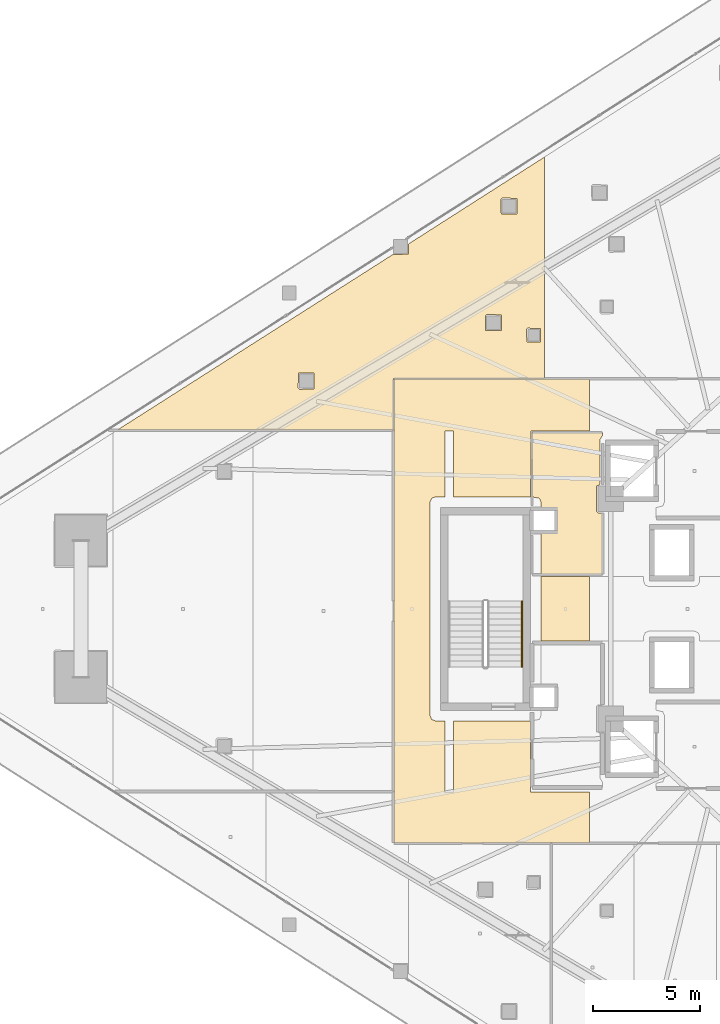
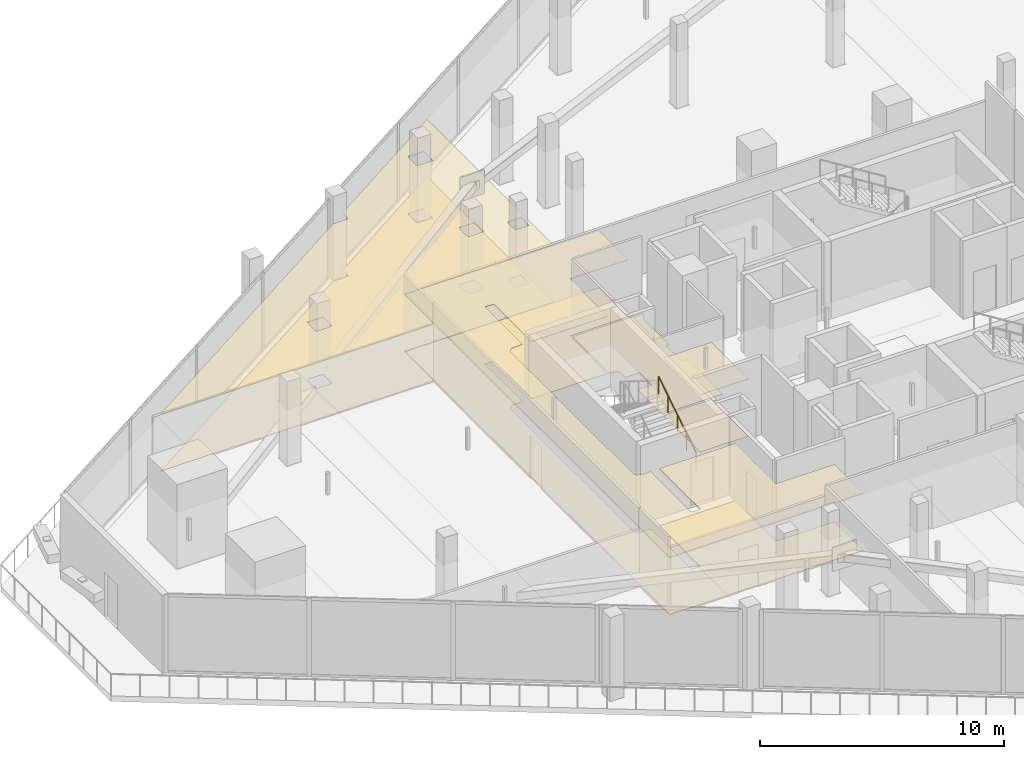
# One storey, part 42 of 45: 7 coverings, 1 railing.
"""IFC4 building model written with IfcOpenShell, lengths in metres."""

import ifcopenshell
import ifcopenshell.guid

model = None  # the IFC model being written
_history = None  # IfcOwnerHistory: only IFC2X3 demands one
_inside = {}  # id of a spatial element -> (the spatial element, [elements in it])
_under = {}  # id of a project, library or spatial element -> (it, [spatial elements below it])
_declared = {}  # id of a project -> (the project, [libraries it declares])
_typed = {}  # id of a type object -> (the type object, [elements of that type])
_made_of = {}  # id of a material, layer set ... -> (it, [elements and type objects made of it])


def new_model(schema):
    """Start an empty IFC model of exactly this schema.

    Asked for "IFC4X3", IfcOpenShell would pick the latest addendum, in which some entities
    have other attributes; the version numbers below select the first issue.
    IFC2X3 requires an IfcOwnerHistory on every rooted entity: one is made here for all.
    """
    global model, _history
    if schema == "IFC4X3":
        model = ifcopenshell.file(schema_version=(4, 3, 0, 0))
    else:
        model = ifcopenshell.file(schema=schema)
    _inside.clear()
    _under.clear()
    _declared.clear()
    _typed.clear()
    _made_of.clear()
    _history = None
    if model.schema == "IFC2X3":
        org = make("IfcOrganization", Name="unknown")
        user = make(
            "IfcPersonAndOrganization",
            ThePerson=make("IfcPerson", FamilyName="unknown"),
            TheOrganization=org,
        )
        app = make(
            "IfcApplication",
            ApplicationDeveloper=org,
            Version="unknown",
            ApplicationFullName="unknown",
            ApplicationIdentifier="unknown",
        )
        _history = make(
            "IfcOwnerHistory",
            OwningUser=user,
            OwningApplication=app,
            ChangeAction="ADDED",
            CreationDate=0,
        )
    return model


def make(cls, **values):
    """One entity of the class cls with the attributes given. An attribute that is None is left unset."""
    return model.create_entity(
        cls, **{name: value for name, value in values.items() if value is not None}
    )


def rooted(cls, **values):
    """An entity with a GlobalId (a new one), such as an element, a storey or a relation."""
    return make(cls, GlobalId=ifcopenshell.guid.new(), OwnerHistory=_history, **values)


def si_unit(unit_type, name, prefix=None):
    """IfcSIUnit, for example si_unit("LENGTHUNIT", "METRE", prefix="MILLI")."""
    return make("IfcSIUnit", UnitType=unit_type, Prefix=prefix, Name=name)


def assignment(units):
    """IfcUnitAssignment: the units of a project."""
    return None if units is None else make("IfcUnitAssignment", Units=units)


def point(xyz):
    """IfcCartesianPoint."""
    return None if xyz is None else make("IfcCartesianPoint", Coordinates=xyz)


def direction(xyz):
    """IfcDirection."""
    return None if xyz is None else make("IfcDirection", DirectionRatios=xyz)


def frame(location, z_axis=None, x_axis=None):
    """IfcAxis2Placement3D, a coordinate frame: its origin and axes. An axis left out is left unset."""
    return make(
        "IfcAxis2Placement3D",
        Location=point(location),
        Axis=direction(z_axis),
        RefDirection=direction(x_axis),
    )


def frame_2d(location, x_axis=None):
    """IfcAxis2Placement2D, a coordinate frame in the plane: its origin and x axis."""
    return make(
        "IfcAxis2Placement2D", Location=point(location), RefDirection=direction(x_axis)
    )


def origin():
    """The frame at (0, 0, 0) with its axes left unset."""
    return frame((0.0, 0.0, 0.0))


def origin_2d():
    """The frame at (0, 0) in the plane with its x axis left unset."""
    return frame_2d((0.0, 0.0))


def place(relative_to, where):
    """IfcLocalPlacement: puts the frame where relative to a parent placement (None: the world)."""
    return make(
        "IfcLocalPlacement", PlacementRelTo=relative_to, RelativePlacement=where
    )


def context(
    kind, dimensions, precision=None, world=None, true_north=None, identifier=None
):
    """IfcGeometricRepresentationContext, for example the 3D "Model" context."""
    return make(
        "IfcGeometricRepresentationContext",
        ContextIdentifier=identifier,
        ContextType=kind,
        CoordinateSpaceDimension=dimensions,
        Precision=precision,
        WorldCoordinateSystem=world,
        TrueNorth=true_north,
    )


def subcontext(parent, identifier, kind, view, scale=None):
    """IfcGeometricRepresentationSubContext, for example "Body" below "Model"."""
    return make(
        "IfcGeometricRepresentationSubContext",
        ContextIdentifier=identifier,
        ContextType=kind,
        ParentContext=parent,
        TargetScale=scale,
        TargetView=view,
    )


def project(units=None, contexts=None):
    """IfcProject with its units and contexts."""
    return rooted(
        "IfcProject",
        Name="project",
        RepresentationContexts=contexts,
        UnitsInContext=assignment(units),
    )


def spatial(cls, under=None, at=None, **own):
    """A site, building, storey or space (cls), placed at a placement, below another one or the project."""
    s = rooted(cls, ObjectPlacement=at, **own)
    if under is not None:
        _under.setdefault(under.id(), (under, []))[1].append(s)
    return s


def polyline(points):
    """IfcPolyline through the points."""
    return make("IfcPolyline", Points=[point(p) for p in points])


def profile(cls, at=None, kind="AREA", **sizes):
    """A parametric profile (cls). Its sizes go by their IFC names, for example OverallWidth=200.0."""
    return make(cls, ProfileType=kind, Position=at, **sizes)


def circle(**sizes):
    """IfcCircleProfileDef."""
    return profile("IfcCircleProfileDef", **sizes)


def outline(outer, holes=None, kind="AREA"):
    """IfcArbitraryClosedProfileDef: a profile drawn as a closed curve; with holes, ...WithVoids."""
    if holes is None:
        return make("IfcArbitraryClosedProfileDef", ProfileType=kind, OuterCurve=outer)
    return make(
        "IfcArbitraryProfileDefWithVoids",
        ProfileType=kind,
        OuterCurve=outer,
        InnerCurves=holes,
    )


def extrude(swept, where, along, depth):
    """IfcExtrudedAreaSolid: the profile swept, set in the frame where, extruded along a direction by depth."""
    return make(
        "IfcExtrudedAreaSolid",
        SweptArea=swept,
        Position=where,
        ExtrudedDirection=direction(along),
        Depth=depth,
    )


def shape(context_of_items, identifier, shape_type, items):
    """IfcShapeRepresentation: the items that make up one representation, for example the "Body"."""
    return make(
        "IfcShapeRepresentation",
        ContextOfItems=context_of_items,
        RepresentationIdentifier=identifier,
        RepresentationType=shape_type,
        Items=items,
    )


def material(Name=None, Category=None):
    """IfcMaterial."""
    return make("IfcMaterial", Name=Name, Category=Category)


def layer(
    of_material, thickness, ventilated=None, Name=None, Category=None, Priority=None
):
    """IfcMaterialLayer: one layer of a wall or slab, of a material (None: an air gap)."""
    return make(
        "IfcMaterialLayer",
        Material=of_material,
        LayerThickness=thickness,
        IsVentilated=ventilated,
        Name=Name,
        Category=Category,
        Priority=Priority,
    )


def layer_set(layers, Name=None):
    """IfcMaterialLayerSet."""
    return make("IfcMaterialLayerSet", MaterialLayers=layers, LayerSetName=Name)


def made_of(thing, what):
    """Note that an element or type object is made of a material, layer set ...; save() writes the relation."""
    if what is not None:
        _made_of.setdefault(what.id(), (what, []))[1].append(thing)
    return thing


def type_object(cls, material=None, **own):
    """A type object (cls), such as IfcWallType, which elements share."""
    return made_of(rooted(cls, **own), material)


def element(
    cls,
    number,
    at=None,
    inside=None,
    cuts=None,
    type_object=None,
    material=None,
    context=None,
    identifier="Body",
    shape_type=None,
    held_by="IfcProductDefinitionShape",
    body=None,
    shapes=None,
    **own,
):
    """One element of the class cls, such as IfcWall. Its Tag is "e" and its number.

    at: its placement. inside: the storey or other place that contains it. cuts: it is an
    opening in that element (IfcRelVoidsElement). A single representation is given by context,
    identifier, shape_type and body (its items); several are given by shapes. held_by: the class
    of the entity that holds the representations. save() writes the other relations.
    """
    e = rooted(cls, Tag="e%d" % number, ObjectPlacement=at, **own)
    if body is not None:
        shapes = [shape(context, identifier, shape_type, body)]
    if shapes is not None:
        e.Representation = make(held_by, Representations=shapes)
    if inside is not None:
        _inside.setdefault(inside.id(), (inside, []))[1].append(e)
    if cuts is not None:
        rooted(
            "IfcRelVoidsElement", RelatingBuildingElement=cuts, RelatedOpeningElement=e
        )
    if type_object is not None:
        _typed.setdefault(type_object.id(), (type_object, []))[1].append(e)
    return made_of(e, material)


def aggregate(whole, parts):
    """IfcRelAggregates: a whole, such as a stair, and the parts it consists of."""
    return rooted("IfcRelAggregates", RelatingObject=whole, RelatedObjects=parts)


def save(model, path):
    """Write the relations noted so far, then the file.

    IfcRelAggregates (storeys below a building ...), IfcRelContainedInSpatialStructure (elements
    in a storey), IfcRelDefinesByType, IfcRelAssociatesMaterial and IfcRelDeclares: one each for
    every whole, place, type object, material and project.
    """
    for whole, parts in _under.values():
        aggregate(whole, parts)
    for where, things in _inside.values():
        rooted(
            "IfcRelContainedInSpatialStructure",
            RelatedElements=things,
            RelatingStructure=where,
        )
    for kind, things in _typed.values():
        rooted("IfcRelDefinesByType", RelatedObjects=things, RelatingType=kind)
    for what, things in _made_of.values():
        rooted("IfcRelAssociatesMaterial", RelatedObjects=things, RelatingMaterial=what)
    for by, libraries in _declared.values():
        rooted("IfcRelDeclares", RelatingContext=by, RelatedDefinitions=libraries)
    model.write(path)


model = new_model("IFC4")

# Units and contexts
model_context = context("Model", 3, precision=1e-05, world=origin(), true_north=direction((0.0, 1.0)))
body_context = subcontext(model_context, "Body", "Model", "MODEL_VIEW")
ifc_project = project(units=[si_unit("LENGTHUNIT", "METRE"), si_unit("AREAUNIT", "SQUARE_METRE"), si_unit("VOLUMEUNIT", "CUBIC_METRE"), si_unit("PLANEANGLEUNIT", "RADIAN"), si_unit("MASSUNIT", "GRAM", prefix="KILO")], contexts=[model_context])

# Site, building, storey
site_placement = place(None, origin())
site = spatial("IfcSite", under=ifc_project, at=site_placement, CompositionType="ELEMENT")
building_placement = place(site_placement, origin())
building = spatial("IfcBuilding", under=site, at=building_placement, Name="Qorvath Tower", CompositionType="ELEMENT")
storey_placement = place(building_placement, frame((0.0, 0.0, 49.199951171875)))
storey = spatial("IfcBuildingStorey", under=building, at=storey_placement, Name="L10", CompositionType="ELEMENT", Elevation=49.199951171875)

# Coverings
ifc_material_1 = material(Name="Acoustic mineral fibre ceiling tile", Category="gypsum")
ifc_layer_1 = layer(ifc_material_1, 0.030029296875)
ifc_layer_set_1 = layer_set([ifc_layer_1], Name="COV-CEIL")
covering_type_1 = type_object("IfcCoveringType", Name="COV-CEIL", PredefinedType="CEILING", material=ifc_layer_set_1)
covering_1_placement = place(storey_placement, frame((0.0, 0.0, 2.85009765625)))
element("IfcCovering", 1, at=covering_1_placement, inside=storey, type_object=covering_type_1, Name="L10 Suspended Acoustic Ceiling 005", PredefinedType="CEILING", context=body_context, shape_type="SweptSolid", body=[
    extrude(outline(polyline([(-31.481689453125, -10.945068359375), (-31.481689453125, -8.564697265625), (-34.25, -8.56494140625), (-34.2548828125, -5.239990234375), (-37.844970703125, -5.239990234375), (-37.844970703125, -8.580078125), (-38.2548828125, -8.580078125), (-38.2548828125, -5.239990234375), (-38.699951171875, -5.239990234375), (-38.876708984375, -5.166748046875), (-38.949951171875, -4.989990234375), (-38.949951171875, 4.989990234375), (-38.876708984375, 5.166748046875), (-38.699951171875, 5.239990234375), (-38.2548828125, 5.239990234375), (-38.25341796875, 8.323486328125), (-37.844970703125, 8.320068359375), (-37.844970703125, 5.239990234375), (-34.2509765625, 5.239990234375), (-34.219970703125, 8.324951171875), (-31.481689453125, 8.324951171875), (-31.481689453125, 10.7451171875), (-40.64501953125, 10.7451171875), (-40.64501953125, -10.945068359375), (-31.481689453125, -10.945068359375)])), origin(), (0.0, 0.0, 1.0), 0.030029296875),
])
covering_2_placement = place(storey_placement, frame((0.0, 0.0, 2.85009765625)))
element("IfcCovering", 2, at=covering_2_placement, inside=storey, type_object=covering_type_1, Name="L10 Suspended Acoustic Ceiling 006", PredefinedType="CEILING", context=body_context, shape_type="SweptSolid", body=[
    extrude(outline(polyline([(-31.481689453125, -1.514892578125), (-31.481689453125, 1.514892578125), (-33.760009765625, 1.514892578125), (-33.760009765625, -1.514892578125), (-31.481689453125, -1.514892578125)])), origin(), (0.0, 0.0, 1.0), 0.030029296875),
])
covering_3_placement = place(storey_placement, frame((0.0, 0.0, 2.85009765625)))
element("IfcCovering", 3, at=covering_3_placement, inside=storey, type_object=covering_type_1, Name="L10 Suspended Acoustic Ceiling 008", PredefinedType="CEILING", context=body_context, shape_type="SweptSolid", body=[
    extrude(outline(polyline([(-33.60546875, 10.762939453125), (-33.60546875, 21.127197265625), (-39.947509765625, 17.07373046875), (-39.965087890625, 16.58837890625), (-40.680419921875, 16.580322265625), (-53.5888671875, 8.35498046875), (-40.6630859375, 8.35498046875), (-40.657958984375, 10.762939453125), (-33.60546875, 10.762939453125)]), holes=[polyline([(-34.439208984375, 13.0673828125), (-34.379150390625, 13.12744140625), (-33.786865234375, 13.10986328125), (-33.786865234375, 12.47509765625), (-34.421630859375, 12.47509765625), (-34.439208984375, 13.0673828125)]), polyline([(-35.63671875, 19.154296875), (-35.57666015625, 19.21435546875), (-34.88427734375, 19.19677734375), (-34.88427734375, 18.4619140625), (-35.619140625, 18.4619140625), (-35.63671875, 19.154296875)]), polyline([(-36.36572265625, 13.705810546875), (-36.3056640625, 13.765869140625), (-35.61328125, 13.748291015625), (-35.61328125, 13.013427734375), (-36.34814453125, 13.013427734375), (-36.36572265625, 13.705810546875)]), polyline([(-45.121337890625, 10.327392578125), (-45.103759765625, 11.019775390625), (-44.368896484375, 11.019775390625), (-44.368896484375, 10.284912109375), (-45.061279296875, 10.267333984375), (-45.121337890625, 10.327392578125)])]), origin(), (0.0, 0.0, 1.0), 0.030029296875),
])
ifc_material_2 = material(Name="Low-VOC modular carpet tile", Category="textile")
ifc_layer_2 = layer(ifc_material_2, 0.014892578125)
ifc_layer_set_2 = layer_set([ifc_layer_2], Name="COV-FLOOR-CPT")
covering_type_2 = type_object("IfcCoveringType", Name="COV-FLOOR-CPT", PredefinedType="FLOORING", material=ifc_layer_set_2)
covering_4_placement = place(storey_placement, origin())
element("IfcCovering", 4, at=covering_4_placement, inside=storey, type_object=covering_type_2, Name="L10 Floor Finish 008", PredefinedType="FLOORING", context=body_context, shape_type="SweptSolid", body=[
    extrude(outline(polyline([(-33.60546875, 10.762939453125), (-33.60546875, 21.127197265625), (-39.947509765625, 17.07373046875), (-39.965087890625, 16.58837890625), (-40.680419921875, 16.580322265625), (-53.5888671875, 8.35498046875), (-40.6630859375, 8.35498046875), (-40.657958984375, 10.762939453125), (-33.60546875, 10.762939453125)]), holes=[polyline([(-34.439208984375, 13.0673828125), (-34.379150390625, 13.12744140625), (-33.786865234375, 13.10986328125), (-33.786865234375, 12.47509765625), (-34.421630859375, 12.47509765625), (-34.439208984375, 13.0673828125)]), polyline([(-35.63671875, 19.154296875), (-35.57666015625, 19.21435546875), (-34.88427734375, 19.19677734375), (-34.88427734375, 18.4619140625), (-35.619140625, 18.4619140625), (-35.63671875, 19.154296875)]), polyline([(-36.36572265625, 13.705810546875), (-36.3056640625, 13.765869140625), (-35.61328125, 13.748291015625), (-35.61328125, 13.013427734375), (-36.34814453125, 13.013427734375), (-36.36572265625, 13.705810546875)]), polyline([(-45.121337890625, 10.327392578125), (-45.103759765625, 11.019775390625), (-44.368896484375, 11.019775390625), (-44.368896484375, 10.284912109375), (-45.061279296875, 10.267333984375), (-45.121337890625, 10.327392578125)])]), origin(), (0.0, 0.0, 1.0), 0.01513671875),
])
ifc_material_3 = material(Name="Polished epoxy terrazzo flooring", Category="concrete")
ifc_layer_3 = layer(ifc_material_3, 0.02001953125)
ifc_layer_set_3 = layer_set([ifc_layer_3], Name="COV-FLOOR-TRZ")
covering_type_3 = type_object("IfcCoveringType", Name="COV-FLOOR-TRZ", PredefinedType="FLOORING", material=ifc_layer_set_3)
covering_5_placement = place(storey_placement, origin())
element("IfcCovering", 5, at=covering_5_placement, inside=storey, type_object=covering_type_3, Name="L10 Floor Finish 003", PredefinedType="FLOORING", context=body_context, shape_type="SweptSolid", body=[
    extrude(outline(polyline([(-30.885009765625, 8.2451171875), (-34.175048828125, 8.2451171875), (-34.175048828125, 5.239990234375), (-33.833251953125, 5.166748046875), (-33.760009765625, 4.989990234375), (-33.760009765625, 4.633056640625), (-33.0869140625, 4.6279296875), (-33.08837890625, 3.638427734375), (-33.760009765625, 3.636962890625), (-33.760009765625, 1.60498046875), (-30.885009765625, 1.60498046875), (-30.885009765625, 4.489990234375), (-31.10009765625, 4.489990234375), (-31.159912109375, 4.550048828125), (-31.159912109375, 5.75), (-31.010009765625, 5.81005859375), (-31.010009765625, 7.909912109375), (-30.885009765625, 8.108154296875), (-30.885009765625, 8.2451171875)])), origin(), (0.0, 0.0, 1.0), 0.01513671875),
])
covering_6_placement = place(storey_placement, origin())
element("IfcCovering", 6, at=covering_6_placement, inside=storey, type_object=covering_type_3, Name="L10 Floor Finish 005", PredefinedType="FLOORING", context=body_context, shape_type="SweptSolid", body=[
    extrude(outline(polyline([(-31.481689453125, -10.945068359375), (-31.481689453125, -8.564697265625), (-34.25, -8.56494140625), (-34.2548828125, -5.239990234375), (-37.844970703125, -5.239990234375), (-37.844970703125, -8.580078125), (-38.2548828125, -8.580078125), (-38.2548828125, -5.239990234375), (-38.699951171875, -5.239990234375), (-38.876708984375, -5.166748046875), (-38.949951171875, -4.989990234375), (-38.949951171875, 4.989990234375), (-38.876708984375, 5.166748046875), (-38.699951171875, 5.239990234375), (-38.2548828125, 5.239990234375), (-38.25341796875, 8.323486328125), (-37.844970703125, 8.320068359375), (-37.844970703125, 5.239990234375), (-34.2509765625, 5.239990234375), (-34.219970703125, 8.324951171875), (-31.481689453125, 8.324951171875), (-31.481689453125, 10.7451171875), (-40.64501953125, 10.7451171875), (-40.64501953125, -10.945068359375), (-31.481689453125, -10.945068359375)])), origin(), (0.0, 0.0, 1.0), 0.01513671875),
])
covering_7_placement = place(storey_placement, origin())
element("IfcCovering", 7, at=covering_7_placement, inside=storey, type_object=covering_type_3, Name="L10 Floor Finish 006", PredefinedType="FLOORING", context=body_context, shape_type="SweptSolid", body=[
    extrude(outline(polyline([(-31.481689453125, -1.514892578125), (-31.481689453125, 1.514892578125), (-33.760009765625, 1.514892578125), (-33.760009765625, -1.514892578125), (-31.481689453125, -1.514892578125)])), origin(), (0.0, 0.0, 1.0), 0.01513671875),
])

# Railing
ifc_material_4 = material(Name="Brushed stainless steel AISI 304", Category="steel")
railing_type = type_object("IfcRailingType", Name="RL-STR-HND", PredefinedType="HANDRAIL", material=ifc_material_4)
railing_placement = place(storey_placement, frame((-34.64990234375, -2.719970703125, 0.175048828125)))
element("IfcRailing", 8, at=railing_placement, inside=storey, type_object=railing_type, Name="L10 TS3 stair handrail 1", PredefinedType="HANDRAIL", context=body_context, shape_type="SweptSolid", body=[
    extrude(circle(Radius=0.02392578125, at=origin_2d()), frame((0.0, 0.0, 0.8759765625), z_axis=(0.0, 0.847998304005, 0.529998940003), x_axis=(-1.0, 0.0, 0.0)), (0.0, 0.0, 1.0), 3.632080078125),
    extrude(circle(Radius=0.02099609375, at=origin_2d()), origin(), (0.0, 0.0, 1.0), 0.851806640625),
    extrude(circle(Radius=0.02099609375, at=origin_2d()), frame((0.0, 0.77001953125, 0.481201171875)), (0.0, 0.0, 1.0), 0.851806640625),
    extrude(circle(Radius=0.02099609375, at=origin_2d()), frame((0.0, 1.5400390625, 0.96240234375)), (0.0, 0.0, 1.0), 0.851806640625),
    extrude(circle(Radius=0.02099609375, at=origin_2d()), frame((0.0, 2.31005859375, 1.44384765625)), (0.0, 0.0, 1.0), 0.851806640625),
    extrude(circle(Radius=0.02099609375, at=origin_2d()), frame((0.0, 3.080078125, 1.925048828125)), (0.0, 0.0, 1.0), 0.851806640625),
])

save(model, "model.ifc")
